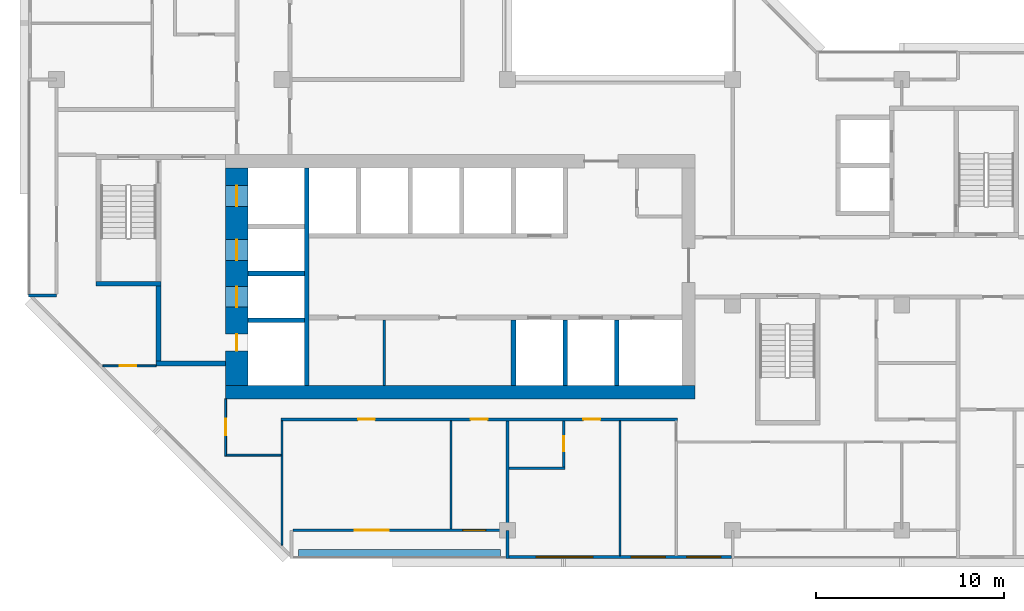
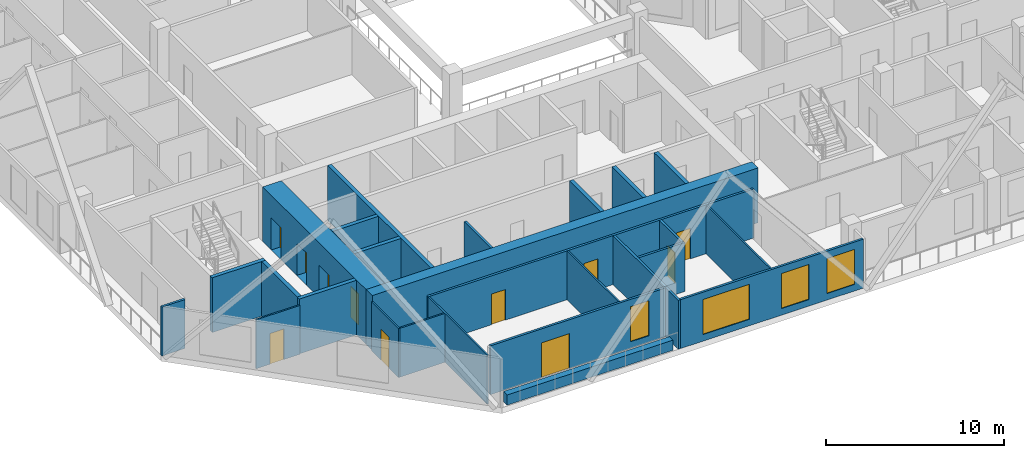
# One storey, part 4 of 15: 27 walls, 11 doors, 4 windows, 15 openings.
"""IFC4 building model written with IfcOpenShell, lengths in metres."""

import ifcopenshell
import ifcopenshell.guid

model = None  # the IFC model being written
_history = None  # IfcOwnerHistory: only IFC2X3 demands one
_inside = {}  # id of a spatial element -> (the spatial element, [elements in it])
_under = {}  # id of a project, library or spatial element -> (it, [spatial elements below it])
_declared = {}  # id of a project -> (the project, [libraries it declares])
_typed = {}  # id of a type object -> (the type object, [elements of that type])
_made_of = {}  # id of a material, layer set ... -> (it, [elements and type objects made of it])


def new_model(schema):
    """Start an empty IFC model of exactly this schema.

    Asked for "IFC4X3", IfcOpenShell would pick the latest addendum, in which some entities
    have other attributes; the version numbers below select the first issue.
    IFC2X3 requires an IfcOwnerHistory on every rooted entity: one is made here for all.
    """
    global model, _history
    if schema == "IFC4X3":
        model = ifcopenshell.file(schema_version=(4, 3, 0, 0))
    else:
        model = ifcopenshell.file(schema=schema)
    _inside.clear()
    _under.clear()
    _declared.clear()
    _typed.clear()
    _made_of.clear()
    _history = None
    if model.schema == "IFC2X3":
        org = make("IfcOrganization", Name="unknown")
        user = make(
            "IfcPersonAndOrganization",
            ThePerson=make("IfcPerson", FamilyName="unknown"),
            TheOrganization=org,
        )
        app = make(
            "IfcApplication",
            ApplicationDeveloper=org,
            Version="unknown",
            ApplicationFullName="unknown",
            ApplicationIdentifier="unknown",
        )
        _history = make(
            "IfcOwnerHistory",
            OwningUser=user,
            OwningApplication=app,
            ChangeAction="ADDED",
            CreationDate=0,
        )
    return model


def make(cls, **values):
    """One entity of the class cls with the attributes given. An attribute that is None is left unset."""
    return model.create_entity(
        cls, **{name: value for name, value in values.items() if value is not None}
    )


def rooted(cls, **values):
    """An entity with a GlobalId (a new one), such as an element, a storey or a relation."""
    return make(cls, GlobalId=ifcopenshell.guid.new(), OwnerHistory=_history, **values)


def si_unit(unit_type, name, prefix=None):
    """IfcSIUnit, for example si_unit("LENGTHUNIT", "METRE", prefix="MILLI")."""
    return make("IfcSIUnit", UnitType=unit_type, Prefix=prefix, Name=name)


def assignment(units):
    """IfcUnitAssignment: the units of a project."""
    return None if units is None else make("IfcUnitAssignment", Units=units)


def point(xyz):
    """IfcCartesianPoint."""
    return None if xyz is None else make("IfcCartesianPoint", Coordinates=xyz)


def direction(xyz):
    """IfcDirection."""
    return None if xyz is None else make("IfcDirection", DirectionRatios=xyz)


def frame(location, z_axis=None, x_axis=None):
    """IfcAxis2Placement3D, a coordinate frame: its origin and axes. An axis left out is left unset."""
    return make(
        "IfcAxis2Placement3D",
        Location=point(location),
        Axis=direction(z_axis),
        RefDirection=direction(x_axis),
    )


def frame_2d(location, x_axis=None):
    """IfcAxis2Placement2D, a coordinate frame in the plane: its origin and x axis."""
    return make(
        "IfcAxis2Placement2D", Location=point(location), RefDirection=direction(x_axis)
    )


def origin():
    """The frame at (0, 0, 0) with its axes left unset."""
    return frame((0.0, 0.0, 0.0))


def place(relative_to, where):
    """IfcLocalPlacement: puts the frame where relative to a parent placement (None: the world)."""
    return make(
        "IfcLocalPlacement", PlacementRelTo=relative_to, RelativePlacement=where
    )


def context(
    kind, dimensions, precision=None, world=None, true_north=None, identifier=None
):
    """IfcGeometricRepresentationContext, for example the 3D "Model" context."""
    return make(
        "IfcGeometricRepresentationContext",
        ContextIdentifier=identifier,
        ContextType=kind,
        CoordinateSpaceDimension=dimensions,
        Precision=precision,
        WorldCoordinateSystem=world,
        TrueNorth=true_north,
    )


def subcontext(parent, identifier, kind, view, scale=None):
    """IfcGeometricRepresentationSubContext, for example "Body" below "Model"."""
    return make(
        "IfcGeometricRepresentationSubContext",
        ContextIdentifier=identifier,
        ContextType=kind,
        ParentContext=parent,
        TargetScale=scale,
        TargetView=view,
    )


def project(units=None, contexts=None):
    """IfcProject with its units and contexts."""
    return rooted(
        "IfcProject",
        Name="project",
        RepresentationContexts=contexts,
        UnitsInContext=assignment(units),
    )


def spatial(cls, under=None, at=None, **own):
    """A site, building, storey or space (cls), placed at a placement, below another one or the project."""
    s = rooted(cls, ObjectPlacement=at, **own)
    if under is not None:
        _under.setdefault(under.id(), (under, []))[1].append(s)
    return s


def profile(cls, at=None, kind="AREA", **sizes):
    """A parametric profile (cls). Its sizes go by their IFC names, for example OverallWidth=200.0."""
    return make(cls, ProfileType=kind, Position=at, **sizes)


def rectangle(**sizes):
    """IfcRectangleProfileDef."""
    return profile("IfcRectangleProfileDef", **sizes)


def extrude(swept, where, along, depth):
    """IfcExtrudedAreaSolid: the profile swept, set in the frame where, extruded along a direction by depth."""
    return make(
        "IfcExtrudedAreaSolid",
        SweptArea=swept,
        Position=where,
        ExtrudedDirection=direction(along),
        Depth=depth,
    )


def shape(context_of_items, identifier, shape_type, items):
    """IfcShapeRepresentation: the items that make up one representation, for example the "Body"."""
    return make(
        "IfcShapeRepresentation",
        ContextOfItems=context_of_items,
        RepresentationIdentifier=identifier,
        RepresentationType=shape_type,
        Items=items,
    )


def material(Name=None, Category=None):
    """IfcMaterial."""
    return make("IfcMaterial", Name=Name, Category=Category)


def layer(
    of_material, thickness, ventilated=None, Name=None, Category=None, Priority=None
):
    """IfcMaterialLayer: one layer of a wall or slab, of a material (None: an air gap)."""
    return make(
        "IfcMaterialLayer",
        Material=of_material,
        LayerThickness=thickness,
        IsVentilated=ventilated,
        Name=Name,
        Category=Category,
        Priority=Priority,
    )


def layer_set(layers, Name=None):
    """IfcMaterialLayerSet."""
    return make("IfcMaterialLayerSet", MaterialLayers=layers, LayerSetName=Name)


def made_of(thing, what):
    """Note that an element or type object is made of a material, layer set ...; save() writes the relation."""
    if what is not None:
        _made_of.setdefault(what.id(), (what, []))[1].append(thing)
    return thing


def type_object(cls, material=None, **own):
    """A type object (cls), such as IfcWallType, which elements share."""
    return made_of(rooted(cls, **own), material)


def element(
    cls,
    number,
    at=None,
    inside=None,
    cuts=None,
    type_object=None,
    material=None,
    context=None,
    identifier="Body",
    shape_type=None,
    held_by="IfcProductDefinitionShape",
    body=None,
    shapes=None,
    **own,
):
    """One element of the class cls, such as IfcWall. Its Tag is "e" and its number.

    at: its placement. inside: the storey or other place that contains it. cuts: it is an
    opening in that element (IfcRelVoidsElement). A single representation is given by context,
    identifier, shape_type and body (its items); several are given by shapes. held_by: the class
    of the entity that holds the representations. save() writes the other relations.
    """
    e = rooted(cls, Tag="e%d" % number, ObjectPlacement=at, **own)
    if body is not None:
        shapes = [shape(context, identifier, shape_type, body)]
    if shapes is not None:
        e.Representation = make(held_by, Representations=shapes)
    if inside is not None:
        _inside.setdefault(inside.id(), (inside, []))[1].append(e)
    if cuts is not None:
        rooted(
            "IfcRelVoidsElement", RelatingBuildingElement=cuts, RelatedOpeningElement=e
        )
    if type_object is not None:
        _typed.setdefault(type_object.id(), (type_object, []))[1].append(e)
    return made_of(e, material)


def fill(opening, filler):
    """IfcRelFillsElement: the door or window that sits in an opening."""
    return rooted(
        "IfcRelFillsElement",
        RelatingOpeningElement=opening,
        RelatedBuildingElement=filler,
    )


def aggregate(whole, parts):
    """IfcRelAggregates: a whole, such as a stair, and the parts it consists of."""
    return rooted("IfcRelAggregates", RelatingObject=whole, RelatedObjects=parts)


def save(model, path):
    """Write the relations noted so far, then the file.

    IfcRelAggregates (storeys below a building ...), IfcRelContainedInSpatialStructure (elements
    in a storey), IfcRelDefinesByType, IfcRelAssociatesMaterial and IfcRelDeclares: one each for
    every whole, place, type object, material and project.
    """
    for whole, parts in _under.values():
        aggregate(whole, parts)
    for where, things in _inside.values():
        rooted(
            "IfcRelContainedInSpatialStructure",
            RelatedElements=things,
            RelatingStructure=where,
        )
    for kind, things in _typed.values():
        rooted("IfcRelDefinesByType", RelatedObjects=things, RelatingType=kind)
    for what, things in _made_of.values():
        rooted("IfcRelAssociatesMaterial", RelatedObjects=things, RelatingMaterial=what)
    for by, libraries in _declared.values():
        rooted("IfcRelDeclares", RelatingContext=by, RelatedDefinitions=libraries)
    model.write(path)


model = new_model("IFC4")

# Units and contexts
model_context = context("Model", 3, precision=1e-05, world=origin(), true_north=direction((0.0, 1.0)))
body_context = subcontext(model_context, "Body", "Model", "MODEL_VIEW")
ifc_project = project(units=[si_unit("LENGTHUNIT", "METRE"), si_unit("AREAUNIT", "SQUARE_METRE"), si_unit("VOLUMEUNIT", "CUBIC_METRE"), si_unit("PLANEANGLEUNIT", "RADIAN"), si_unit("MASSUNIT", "GRAM", prefix="KILO")], contexts=[model_context])

# Site, building, storey
site_placement = place(None, origin())
site = spatial("IfcSite", under=ifc_project, at=site_placement, CompositionType="ELEMENT")
building_placement = place(site_placement, origin())
building = spatial("IfcBuilding", under=site, at=building_placement, Name="Chenar Terraces", CompositionType="ELEMENT")
storey_placement = place(building_placement, frame((0.0, 0.0, 245.39990234375)))
storey = spatial("IfcBuildingStorey", under=building, at=storey_placement, Name="L58", CompositionType="ELEMENT", Elevation=245.39990234375)

# Wall
ifc_material_1 = material(Name="Gypsum board on steel studs", Category="steel")
ifc_layer_1 = layer(ifc_material_1, 0.14990234375)
ifc_layer_set_1 = layer_set([ifc_layer_1], Name="Gypsum board on steel studs")
wall_type_1 = type_object("IfcWallType", Name="Core partition 150 gypsum board", PredefinedType="PARTITIONING", material=ifc_layer_set_1)
wall_1_placement = place(storey_placement, frame((17.449951171875, 7.699951171875, 0.0), z_axis=(0.0, 0.0, 1.0), x_axis=(0.0, 1.0, 0.0)))
element("IfcWall", 1, at=wall_1_placement, inside=storey, type_object=wall_type_1, Name="Core partition CP1 freed bay wall", PredefinedType="PARTITIONING", context=body_context, shape_type="SweptSolid", body=[
    extrude(rectangle(XDim=3.5, YDim=0.14990234375, at=frame_2d((1.75, 0.0))), origin(), (0.0, 0.0, 1.0), 3.35009765625),
])

# Wall, openings, doors
ifc_material_2 = material(Name="Concrete C60/75", Category="concrete")
ifc_layer_2 = layer(ifc_material_2, 1.199951171875)
ifc_layer_set_2 = layer_set([ifc_layer_2], Name="Concrete C60/75")
wall_type_2 = type_object("IfcWallType", Name="Core wall 1200 Concrete C60/75", PredefinedType="SHEAR", material=ifc_layer_set_2)
wall_2_placement = place(storey_placement, frame((9.60009765625, 7.699951171875, 0.0), z_axis=(0.0, 0.0, 1.0), x_axis=(0.0, 1.0, 0.0)))
wall_2 = element("IfcWall", 2, at=wall_2_placement, inside=storey, type_object=wall_type_2, Name="Core wall W L58", PredefinedType="SHEAR", context=body_context, shape_type="SweptSolid", body=[
    extrude(rectangle(XDim=11.60009765625, YDim=1.199951171875, at=frame_2d((5.800048828125, 0.0))), origin(), (0.0, 0.0, 1.0), 3.75),
])
opening_1_placement = place(wall_2_placement, frame((4.175048828125, 0.0, 0.0)))
opening_1 = element("IfcOpeningElement", 3, at=opening_1_placement, cuts=wall_2, Name="Opening DL58-LD5", PredefinedType="OPENING", context=body_context, shape_type="SweptSolid", body=[
    extrude(rectangle(XDim=1.10009765625, YDim=2.199951171875, at=frame_2d((0.550048828125, 1.10009765625))), frame((0.0, 0.60986328125, 0.0), z_axis=(0.0, -1.0, 0.0), x_axis=(1.0, 0.0, 0.0)), (0.0, 0.0, 1.0), 1.219970703125),
])
opening_2_placement = place(wall_2_placement, frame((6.675048828125, 0.0, 0.0)))
opening_2 = element("IfcOpeningElement", 4, at=opening_2_placement, cuts=wall_2, Name="Opening DL58-LD6", PredefinedType="OPENING", context=body_context, shape_type="SweptSolid", body=[
    extrude(rectangle(XDim=1.10009765625, YDim=2.199951171875, at=frame_2d((0.550048828125, 1.10009765625))), frame((0.0, 0.60986328125, 0.0), z_axis=(0.0, -1.0, 0.0), x_axis=(1.0, 0.0, 0.0)), (0.0, 0.0, 1.0), 1.219970703125),
])
opening_3_placement = place(wall_2_placement, frame((9.550048828125, 0.0, 0.0)))
opening_3 = element("IfcOpeningElement", 5, at=opening_3_placement, cuts=wall_2, Name="Opening DL58-LD7", PredefinedType="OPENING", context=body_context, shape_type="SweptSolid", body=[
    extrude(rectangle(XDim=1.10009765625, YDim=2.199951171875, at=frame_2d((0.550048828125, 1.10009765625))), frame((0.0, 0.60986328125, 0.0), z_axis=(0.0, -1.0, 0.0), x_axis=(1.0, 0.0, 0.0)), (0.0, 0.0, 1.0), 1.219970703125),
])
opening_4_placement = place(wall_2_placement, frame((1.85009765625, 0.0, 0.0)))
opening_4 = element("IfcOpeningElement", 6, at=opening_4_placement, cuts=wall_2, Name="Opening DL58-C4", PredefinedType="OPENING", context=body_context, shape_type="SweptSolid", body=[
    extrude(rectangle(XDim=0.89990234375, YDim=2.10009765625, at=frame_2d((0.449951171875, 1.050048828125))), frame((0.0, 0.60986328125, 0.0), z_axis=(0.0, -1.0, 0.0), x_axis=(1.0, 0.0, 0.0)), (0.0, 0.0, 1.0), 1.219970703125),
])
ifc_material_3 = material(Name="Stainless steel", Category="steel")
door_type_1 = type_object("IfcDoorType", Name="Lift landing door 1100 x 2200 sliding", OperationType="DOUBLE_DOOR_SLIDING", PredefinedType="DOOR", material=ifc_material_3)
door_1_placement = place(opening_1_placement, origin())
door_1 = element("IfcDoor", 7, at=door_1_placement, inside=storey, type_object=door_type_1, Name="Landing door S1", OperationType="DOUBLE_DOOR_SLIDING", OverallHeight=2.199951171875, OverallWidth=1.10009765625, PredefinedType="DOOR", context=body_context, shape_type="SweptSolid", body=[
    extrude(rectangle(XDim=1.10009765625, YDim=2.199951171875, at=frame_2d((0.550048828125, 1.10009765625))), frame((0.0, 0.02490234375, 0.0), z_axis=(0.0, -1.0, 0.0), x_axis=(1.0, 0.0, 0.0)), (0.0, 0.0, 1.0), 0.050048828125),
])
fill(opening_1, door_1)
door_2_placement = place(opening_2_placement, origin())
door_2 = element("IfcDoor", 8, at=door_2_placement, inside=storey, type_object=door_type_1, Name="Landing door F1", OperationType="DOUBLE_DOOR_SLIDING", OverallHeight=2.199951171875, OverallWidth=1.10009765625, PredefinedType="DOOR", context=body_context, shape_type="SweptSolid", body=[
    extrude(rectangle(XDim=1.10009765625, YDim=2.199951171875, at=frame_2d((0.550048828125, 1.10009765625))), frame((0.0, 0.02490234375, 0.0), z_axis=(0.0, -1.0, 0.0), x_axis=(1.0, 0.0, 0.0)), (0.0, 0.0, 1.0), 0.050048828125),
])
fill(opening_2, door_2)
door_3_placement = place(opening_3_placement, origin())
door_3 = element("IfcDoor", 9, at=door_3_placement, inside=storey, type_object=door_type_1, Name="Landing door F2", OperationType="DOUBLE_DOOR_SLIDING", OverallHeight=2.199951171875, OverallWidth=1.10009765625, PredefinedType="DOOR", context=body_context, shape_type="SweptSolid", body=[
    extrude(rectangle(XDim=1.10009765625, YDim=2.199951171875, at=frame_2d((0.550048828125, 1.10009765625))), frame((0.0, 0.02490234375, 0.0), z_axis=(0.0, -1.0, 0.0), x_axis=(1.0, 0.0, 0.0)), (0.0, 0.0, 1.0), 0.050048828125),
])
fill(opening_3, door_3)
ifc_material_4 = material(Name="Steel-framed fire-resisting door leaf", Category="steel")
door_type_2 = type_object("IfcDoorType", Name="Riser fire door FD60 900 x 2100", OperationType="SINGLE_SWING_LEFT", PredefinedType="DOOR", material=ifc_material_4)
door_4_placement = place(opening_4_placement, frame((0.89990234375, 0.0, 0.0), z_axis=(0.0, 0.0, 1.0), x_axis=(-1.0, 0.0, 0.0)))
door_4 = element("IfcDoor", 10, at=door_4_placement, inside=storey, type_object=door_type_2, Name="Riser door DL58-C4", OperationType="SINGLE_SWING_LEFT", OverallHeight=2.10009765625, OverallWidth=0.89990234375, PredefinedType="DOOR", context=body_context, shape_type="SweptSolid", body=[
    extrude(rectangle(XDim=0.89990234375, YDim=2.10009765625, at=frame_2d((0.449951171875, 1.050048828125))), frame((0.0, 0.02490234375, 0.0), z_axis=(0.0, -1.0, 0.0), x_axis=(1.0, 0.0, 0.0)), (0.0, 0.0, 1.0), 0.050048828125),
])
fill(opening_4, door_4)

# Walls
ifc_material_5 = material(Name="Concrete C60/75", Category="concrete")
ifc_layer_3 = layer(ifc_material_5, 0.25)
ifc_layer_set_3 = layer_set([ifc_layer_3], Name="Concrete C60/75")
wall_type_3 = type_object("IfcWallType", Name="Core wall 250 Concrete C60/75", PredefinedType="SHEAR", material=ifc_layer_set_3)
wall_3_placement = place(storey_placement, frame((13.324951171875, 7.699951171875, 0.0), z_axis=(0.0, 0.0, 1.0), x_axis=(0.0, 1.0, 0.0)))
element("IfcWall", 11, at=wall_3_placement, inside=storey, type_object=wall_type_3, Name="Core wall WI L58", PredefinedType="SHEAR", context=body_context, shape_type="SweptSolid", body=[
    extrude(rectangle(XDim=11.60009765625, YDim=0.25, at=frame_2d((5.800048828125, 0.0))), origin(), (0.0, 0.0, 1.0), 3.75),
])
for number, where, z_axis, x_axis, name in (
    (12, (10.199951171875, 11.175048828125, 0.0), (0.0, 0.0, 1.0), (1.0, 0.0, 0.0), "Core wall HW0 L58"),
    (13, (10.199951171875, 13.675048828125, 0.0), (0.0, 0.0, 1.0), (1.0, 0.0, 0.0), "Core wall HW1 L58"),
):
    element("IfcWall", number, at=place(storey_placement, frame(where, z_axis=z_axis, x_axis=x_axis)), inside=storey, type_object=wall_type_3, Name=name, PredefinedType="SHEAR", context=body_context, shape_type="SweptSolid", body=[
        extrude(rectangle(XDim=3.0, YDim=0.25, at=frame_2d((1.5, 0.0))), origin(), (0.0, 0.0, 1.0), 3.75),
    ])
for number, where, z_axis, x_axis, name in (
    (14, (24.324951171875, 7.699951171875, 0.0), (0.0, 0.0, 1.0), (0.0, 1.0, 0.0), "Core wall SS3 L58"),
    (15, (27.074951171875, 7.699951171875, 0.0), (0.0, 0.0, 1.0), (0.0, 1.0, 0.0), "Core wall SS4 L58"),
    (16, (29.824951171875, 7.699951171875, 0.0), (0.0, 0.0, 1.0), (0.0, 1.0, 0.0), "Core wall SS5 L58"),
):
    element("IfcWall", number, at=place(storey_placement, frame(where, z_axis=z_axis, x_axis=x_axis)), inside=storey, type_object=wall_type_3, Name=name, PredefinedType="SHEAR", context=body_context, shape_type="SweptSolid", body=[
        extrude(rectangle(XDim=3.5, YDim=0.25, at=frame_2d((1.75, 0.0))), origin(), (0.0, 0.0, 1.0), 3.75),
    ])
wall_4_placement = place(storey_placement, frame((2.10009765625, 13.125, 0.0), z_axis=(0.0, 0.0, 1.0), x_axis=(1.0, 0.0, 0.0)))
element("IfcWall", 17, at=wall_4_placement, inside=storey, type_object=wall_type_3, Name="Core wall ST1_S L58", PredefinedType="SHEAR", context=body_context, shape_type="SweptSolid", body=[
    extrude(rectangle(XDim=3.449951171875, YDim=0.25, at=frame_2d((1.72509765625, 0.0))), origin(), (0.0, 0.0, 1.0), 3.75),
])
wall_5_placement = place(storey_placement, frame((5.300048828125, 8.875, 0.0), z_axis=(0.0, 0.0, 1.0), x_axis=(1.0, 0.0, 0.0)))
element("IfcWall", 18, at=wall_5_placement, inside=storey, type_object=wall_type_3, Name="Core wall FFL_S L58", PredefinedType="SHEAR", context=body_context, shape_type="SweptSolid", body=[
    extrude(rectangle(XDim=3.699951171875, YDim=0.25, at=frame_2d((1.85009765625, 0.0))), origin(), (0.0, 0.0, 1.0), 3.75),
])
wall_6_placement = place(storey_placement, frame((5.425048828125, 9.0, 0.0), z_axis=(0.0, 0.0, 1.0), x_axis=(0.0, 1.0, 0.0)))
element("IfcWall", 19, at=wall_6_placement, inside=storey, type_object=wall_type_3, Name="Core wall FFL_W L58", PredefinedType="SHEAR", context=body_context, shape_type="SweptSolid", body=[
    extrude(rectangle(XDim=4.0, YDim=0.25, at=frame_2d((2.0, 0.0))), origin(), (0.0, 0.0, 1.0), 3.75),
])
ifc_material_6 = material(Name="Concrete C60/75", Category="concrete")
ifc_layer_4 = layer(ifc_material_6, 0.699951171875)
ifc_layer_set_4 = layer_set([ifc_layer_4], Name="Concrete C60/75")
wall_type_4 = type_object("IfcWallType", Name="Core wall 700 Concrete C60/75", PredefinedType="SHEAR", material=ifc_layer_set_4)
wall_7_placement = place(storey_placement, frame((9.0, 7.35009765625, 0.0), z_axis=(0.0, 0.0, 1.0), x_axis=(1.0, 0.0, 0.0)))
element("IfcWall", 20, at=wall_7_placement, inside=storey, type_object=wall_type_4, Name="Core wall S L58", PredefinedType="SHEAR", context=body_context, shape_type="SweptSolid", body=[
    extrude(rectangle(XDim=25.0, YDim=0.699951171875, at=frame_2d((12.5, 0.0))), origin(), (0.0, 0.0, 1.0), 3.75),
])

# Wall, openings, windows
ifc_material_7 = material(Name="Aluminium framed glazing", Category="aluminium")
ifc_layer_5 = layer(ifc_material_7, 0.14990234375)
ifc_layer_set_5 = layer_set([ifc_layer_5], Name="Aluminium framed glazing")
wall_type_5 = type_object("IfcWallType", Name="Glazed flush facade wall 150", PredefinedType="SOLIDWALL", material=ifc_layer_set_5)
wall_8_placement = place(storey_placement, frame((24.074951171875, -1.425048828125, 0.0), z_axis=(0.0, 0.0, 1.0), x_axis=(1.0, 0.0, 0.0)))
wall_8 = element("IfcWall", 21, at=wall_8_placement, inside=storey, type_object=wall_type_5, Name="Glazed flush facade wall", PredefinedType="SOLIDWALL", context=body_context, shape_type="SweptSolid", body=[
    extrude(rectangle(XDim=11.85009765625, YDim=0.14990234375, at=frame_2d((5.925048828125, 0.0))), origin(), (0.0, 0.0, 1.0), 3.35009765625),
])
opening_5_placement = place(wall_8_placement, frame((1.46240234375, 0.0, 0.449951171875)))
opening_5 = element("IfcOpeningElement", 22, at=opening_5_placement, cuts=wall_8, Name="Opening W300x240", PredefinedType="OPENING", context=body_context, shape_type="SweptSolid", body=[
    extrude(rectangle(XDim=3.0, YDim=2.39990234375, at=frame_2d((1.5, 1.199951171875))), frame((0.0, 0.0849609375, 0.0), z_axis=(0.0, -1.0, 0.0), x_axis=(1.0, 0.0, 0.0)), (0.0, 0.0, 1.0), 0.169921875),
])
opening_6_placement = place(wall_8_placement, frame((6.52490234375, 0.0, 0.449951171875)))
opening_6 = element("IfcOpeningElement", 23, at=opening_6_placement, cuts=wall_8, Name="Opening W180x240", PredefinedType="OPENING", context=body_context, shape_type="SweptSolid", body=[
    extrude(rectangle(XDim=1.800048828125, YDim=2.39990234375, at=frame_2d((0.89990234375, 1.199951171875))), frame((0.0, 0.0849609375, 0.0), z_axis=(0.0, -1.0, 0.0), x_axis=(1.0, 0.0, 0.0)), (0.0, 0.0, 1.0), 0.169921875),
])
opening_7_placement = place(wall_8_placement, frame((9.487548828125, 0.0, 0.449951171875)))
opening_7 = element("IfcOpeningElement", 24, at=opening_7_placement, cuts=wall_8, Name="Opening W180x240", PredefinedType="OPENING", context=body_context, shape_type="SweptSolid", body=[
    extrude(rectangle(XDim=1.800048828125, YDim=2.39990234375, at=frame_2d((0.89990234375, 1.199951171875))), frame((0.0, 0.0849609375, 0.0), z_axis=(0.0, -1.0, 0.0), x_axis=(1.0, 0.0, 0.0)), (0.0, 0.0, 1.0), 0.169921875),
])
ifc_material_8 = material(Name="Low emissivity double glazing, aluminium frame", Category="aluminium")
window_type_1 = type_object("IfcWindowType", Name="Fixed light 1800 x 2400", PartitioningType="SINGLE_PANEL", PredefinedType="WINDOW", material=ifc_material_8)
window_1_placement = place(opening_6_placement, origin())
window_1 = element("IfcWindow", 25, at=window_1_placement, inside=storey, type_object=window_type_1, Name="Window", OverallHeight=2.39990234375, OverallWidth=1.800048828125, PartitioningType="SINGLE_PANEL", PredefinedType="WINDOW", context=body_context, shape_type="SweptSolid", body=[
    extrude(rectangle(XDim=1.800048828125, YDim=2.39990234375, at=frame_2d((0.89990234375, 1.199951171875))), frame((0.0, 0.030029296875, 0.0), z_axis=(0.0, -1.0, 0.0), x_axis=(1.0, 0.0, 0.0)), (0.0, 0.0, 1.0), 0.06005859375),
])
fill(opening_6, window_1)
window_2_placement = place(opening_7_placement, origin())
window_2 = element("IfcWindow", 26, at=window_2_placement, inside=storey, type_object=window_type_1, Name="Window", OverallHeight=2.39990234375, OverallWidth=1.800048828125, PartitioningType="SINGLE_PANEL", PredefinedType="WINDOW", context=body_context, shape_type="SweptSolid", body=[
    extrude(rectangle(XDim=1.800048828125, YDim=2.39990234375, at=frame_2d((0.89990234375, 1.199951171875))), frame((0.0, 0.030029296875, 0.0), z_axis=(0.0, -1.0, 0.0), x_axis=(1.0, 0.0, 0.0)), (0.0, 0.0, 1.0), 0.06005859375),
])
fill(opening_7, window_2)
ifc_material_9 = material(Name="Low emissivity double glazing, aluminium frame", Category="aluminium")
window_type_2 = type_object("IfcWindowType", Name="Fixed light 3000 x 2400", PartitioningType="SINGLE_PANEL", PredefinedType="WINDOW", material=ifc_material_9)
window_3_placement = place(opening_5_placement, origin())
window_3 = element("IfcWindow", 27, at=window_3_placement, inside=storey, type_object=window_type_2, Name="Window", OverallHeight=2.39990234375, OverallWidth=3.0, PartitioningType="SINGLE_PANEL", PredefinedType="WINDOW", context=body_context, shape_type="SweptSolid", body=[
    extrude(rectangle(XDim=3.0, YDim=2.39990234375, at=frame_2d((1.5, 1.199951171875))), frame((0.0, 0.030029296875, 0.0), z_axis=(0.0, -1.0, 0.0), x_axis=(1.0, 0.0, 0.0)), (0.0, 0.0, 1.0), 0.06005859375),
])
fill(opening_5, window_3)

# Wall, openings, window, door
ifc_material_10 = material(Name="Aluminium framed glazing", Category="aluminium")
ifc_layer_6 = layer(ifc_material_10, 0.14990234375)
ifc_layer_set_6 = layer_set([ifc_layer_6], Name="Aluminium framed glazing")
wall_type_6 = type_object("IfcWallType", Name="Glazed loggia back wall 150", PredefinedType="SOLIDWALL", material=ifc_layer_set_6)
wall_9_placement = place(storey_placement, frame((12.574951171875, 0.0, 0.0), z_axis=(0.0, 0.0, 1.0), x_axis=(1.0, 0.0, 0.0)))
wall_9 = element("IfcWall", 28, at=wall_9_placement, inside=storey, type_object=wall_type_6, Name="Glazed loggia back wall", PredefinedType="SOLIDWALL", context=body_context, shape_type="SweptSolid", body=[
    extrude(rectangle(XDim=11.35009765625, YDim=0.14990234375, at=frame_2d((5.675048828125, 0.0))), origin(), (0.0, 0.0, 1.0), 3.35009765625),
])
opening_8_placement = place(wall_9_placement, frame((3.3125, 0.0, 0.0)))
opening_8 = element("IfcOpeningElement", 29, at=opening_8_placement, cuts=wall_9, Name="Opening DL58-G5", PredefinedType="OPENING", context=body_context, shape_type="SweptSolid", body=[
    extrude(rectangle(XDim=1.800048828125, YDim=2.39990234375, at=frame_2d((0.89990234375, 1.199951171875))), frame((0.0, 0.0849609375, 0.0), z_axis=(0.0, -1.0, 0.0), x_axis=(1.0, 0.0, 0.0)), (0.0, 0.0, 1.0), 0.169921875),
])
opening_9_placement = place(wall_9_placement, frame((9.0625, 0.0, 0.449951171875)))
opening_9 = element("IfcOpeningElement", 30, at=opening_9_placement, cuts=wall_9, Name="Opening W120x240", PredefinedType="OPENING", context=body_context, shape_type="SweptSolid", body=[
    extrude(rectangle(XDim=1.199951171875, YDim=2.39990234375, at=frame_2d((0.60009765625, 1.199951171875))), frame((0.0, 0.0849609375, 0.0), z_axis=(0.0, -1.0, 0.0), x_axis=(1.0, 0.0, 0.0)), (0.0, 0.0, 1.0), 0.169921875),
])
ifc_material_11 = material(Name="Low emissivity double glazing, aluminium frame", Category="aluminium")
window_type_3 = type_object("IfcWindowType", Name="Fixed light 1200 x 2400", PartitioningType="SINGLE_PANEL", PredefinedType="WINDOW", material=ifc_material_11)
window_4_placement = place(opening_9_placement, origin())
window_4 = element("IfcWindow", 31, at=window_4_placement, inside=storey, type_object=window_type_3, Name="Window", OverallHeight=2.39990234375, OverallWidth=1.199951171875, PartitioningType="SINGLE_PANEL", PredefinedType="WINDOW", context=body_context, shape_type="SweptSolid", body=[
    extrude(rectangle(XDim=1.199951171875, YDim=2.39990234375, at=frame_2d((0.60009765625, 1.199951171875))), frame((0.0, 0.030029296875, 0.0), z_axis=(0.0, -1.0, 0.0), x_axis=(1.0, 0.0, 0.0)), (0.0, 0.0, 1.0), 0.06005859375),
])
fill(opening_9, window_4)
ifc_material_12 = material(Name="Low emissivity double glazing, aluminium frame", Category="aluminium")
door_type_3 = type_object("IfcDoorType", Name="Loggia glazed double door 1800 x 2400", OperationType="DOUBLE_DOOR_SINGLE_SWING", PredefinedType="DOOR", material=ifc_material_12)
door_5_placement = place(opening_8_placement, frame((1.800048828125, 0.0, 0.0), z_axis=(0.0, 0.0, 1.0), x_axis=(-1.0, 0.0, 0.0)))
door_5 = element("IfcDoor", 32, at=door_5_placement, inside=storey, type_object=door_type_3, Name="Loggia glazed door", OperationType="DOUBLE_DOOR_SINGLE_SWING", OverallHeight=2.39990234375, OverallWidth=1.800048828125, PredefinedType="DOOR", context=body_context, shape_type="SweptSolid", body=[
    extrude(rectangle(XDim=1.800048828125, YDim=2.39990234375, at=frame_2d((0.89990234375, 1.199951171875))), frame((0.0, 0.02490234375, 0.0), z_axis=(0.0, -1.0, 0.0), x_axis=(1.0, 0.0, 0.0)), (0.0, 0.0, 1.0), 0.050048828125),
])
fill(opening_8, door_5)

# Wall, opening, door
ifc_material_13 = material(Name="Gypsum board on steel studs", Category="steel")
ifc_layer_7 = layer(ifc_material_13, 0.10009765625)
ifc_layer_set_7 = layer_set([ifc_layer_7], Name="Gypsum board on steel studs")
wall_type_7 = type_object("IfcWallType", Name="Gypsum partition 100", PredefinedType="PARTITIONING", material=ifc_layer_set_7)
wall_10_placement = place(storey_placement, frame((2.4609375, 8.75, 0.0), z_axis=(0.0, 0.0, 1.0), x_axis=(1.0, 0.0, 0.0)))
wall_10 = element("IfcWall", 33, at=wall_10_placement, inside=storey, type_object=wall_type_7, Name="Partition L58-013", PredefinedType="PARTITIONING", context=body_context, shape_type="SweptSolid", body=[
    extrude(rectangle(XDim=2.839111328125, YDim=0.10009765625, at=frame_2d((1.41943359375, 0.0))), origin(), (0.0, 0.0, 1.0), 3.35009765625),
])
opening_10_placement = place(wall_10_placement, frame((0.888916015625, 0.0, 0.0)))
opening_10 = element("IfcOpeningElement", 34, at=opening_10_placement, cuts=wall_10, Name="Opening DL58-53", PredefinedType="OPENING", context=body_context, shape_type="SweptSolid", body=[
    extrude(rectangle(XDim=0.89990234375, YDim=2.10009765625, at=frame_2d((0.449951171875, 1.050048828125))), frame((0.0, 0.06005859375, 0.0), z_axis=(0.0, -1.0, 0.0), x_axis=(1.0, 0.0, 0.0)), (0.0, 0.0, 1.0), 0.1201171875),
])
ifc_material_14 = material(Name="Veneered timber door leaf", Category="wood")
door_type_4 = type_object("IfcDoorType", Name="Door 900 x 2100", OperationType="SINGLE_SWING_LEFT", PredefinedType="DOOR", material=ifc_material_14)
door_6_placement = place(opening_10_placement, frame((0.89990234375, 0.0, 0.0), z_axis=(0.0, 0.0, 1.0), x_axis=(-1.0, 0.0, 0.0)))
door_6 = element("IfcDoor", 35, at=door_6_placement, inside=storey, type_object=door_type_4, Name="Door DL58-53", OperationType="SINGLE_SWING_RIGHT", OverallHeight=2.10009765625, OverallWidth=0.89990234375, PredefinedType="DOOR", context=body_context, shape_type="SweptSolid", body=[
    extrude(rectangle(XDim=0.89990234375, YDim=2.10009765625, at=frame_2d((0.449951171875, 1.050048828125))), frame((0.0, 0.02490234375, 0.0), z_axis=(0.0, -1.0, 0.0), x_axis=(1.0, 0.0, 0.0)), (0.0, 0.0, 1.0), 0.050048828125),
])
fill(opening_10, door_6)

wall_11_placement = place(storey_placement, frame((9.0, 3.949951171875, 0.0), z_axis=(0.0, 0.0, 1.0), x_axis=(0.0, 1.0, 0.0)))
wall_11 = element("IfcWall", 36, at=wall_11_placement, inside=storey, type_object=wall_type_7, Name="Partition L58-031", PredefinedType="PARTITIONING", context=body_context, shape_type="SweptSolid", body=[
    extrude(rectangle(XDim=3.050048828125, YDim=0.10009765625, at=frame_2d((1.52490234375, 0.0))), origin(), (0.0, 0.0, 1.0), 3.35009765625),
])
opening_11_placement = place(wall_11_placement, frame((1.10009765625, 0.0, 0.0)))
opening_11 = element("IfcOpeningElement", 37, at=opening_11_placement, cuts=wall_11, Name="Opening DL58-52", PredefinedType="OPENING", context=body_context, shape_type="SweptSolid", body=[
    extrude(rectangle(XDim=0.89990234375, YDim=2.10009765625, at=frame_2d((0.449951171875, 1.050048828125))), frame((0.0, 0.06005859375, 0.0), z_axis=(0.0, -1.0, 0.0), x_axis=(1.0, 0.0, 0.0)), (0.0, 0.0, 1.0), 0.1201171875),
])
door_7_placement = place(opening_11_placement, origin())
door_7 = element("IfcDoor", 38, at=door_7_placement, inside=storey, type_object=door_type_4, Name="Door DL58-52", OperationType="SINGLE_SWING_LEFT", OverallHeight=2.10009765625, OverallWidth=0.89990234375, PredefinedType="DOOR", context=body_context, shape_type="SweptSolid", body=[
    extrude(rectangle(XDim=0.89990234375, YDim=2.10009765625, at=frame_2d((0.449951171875, 1.050048828125))), frame((0.0, 0.02490234375, 0.0), z_axis=(0.0, -1.0, 0.0), x_axis=(1.0, 0.0, 0.0)), (0.0, 0.0, 1.0), 0.050048828125),
])
fill(opening_11, door_7)

# Walls
wall_12_placement = place(storey_placement, frame((9.050048828125, 4.0, 0.0), z_axis=(0.0, 0.0, 1.0), x_axis=(1.0, 0.0, 0.0)))
element("IfcWall", 39, at=wall_12_placement, inside=storey, type_object=wall_type_7, Name="Partition L58-032", PredefinedType="PARTITIONING", context=body_context, shape_type="SweptSolid", body=[
    extrude(rectangle(XDim=2.89990234375, YDim=0.10009765625, at=frame_2d((1.449951171875, 0.0))), origin(), (0.0, 0.0, 1.0), 3.35009765625),
])
wall_13_placement = place(storey_placement, frame((12.0, -0.787841796875, 0.0), z_axis=(0.0, 0.0, 1.0), x_axis=(0.0, 1.0, 0.0)))
element("IfcWall", 40, at=wall_13_placement, inside=storey, type_object=wall_type_7, Name="Partition L58-035", PredefinedType="PARTITIONING", context=body_context, shape_type="SweptSolid", body=[
    extrude(rectangle(XDim=6.61279296875, YDim=0.10009765625, at=frame_2d((3.306396484375, 0.0))), origin(), (0.0, 0.0, 1.0), 3.35009765625),
])
wall_14_placement = place(storey_placement, frame((21.0, 0.073974609375, 0.0), z_axis=(0.0, 0.0, 1.0), x_axis=(0.0, 1.0, 0.0)))
element("IfcWall", 41, at=wall_14_placement, inside=storey, type_object=wall_type_7, Name="Partition L58-056", PredefinedType="PARTITIONING", context=body_context, shape_type="SweptSolid", body=[
    extrude(rectangle(XDim=5.7509765625, YDim=0.10009765625, at=frame_2d((2.87548828125, 0.0))), origin(), (0.0, 0.0, 1.0), 3.35009765625),
])
wall_15_placement = place(storey_placement, frame((30.0, -1.35107421875, 0.0), z_axis=(0.0, 0.0, 1.0), x_axis=(0.0, 1.0, 0.0)))
element("IfcWall", 42, at=wall_15_placement, inside=storey, type_object=wall_type_7, Name="Partition L58-061", PredefinedType="PARTITIONING", context=body_context, shape_type="SweptSolid", body=[
    extrude(rectangle(XDim=7.176025390625, YDim=0.10009765625, at=frame_2d((3.587890625, 0.0))), origin(), (0.0, 0.0, 1.0), 3.35009765625),
])
ifc_material_15 = material(Name="Terracotta cladding on insulated backing", Category="masonry")
ifc_layer_8 = layer(ifc_material_15, 0.14990234375)
ifc_layer_set_8 = layer_set([ifc_layer_8], Name="Terracotta cladding on insulated backing")
wall_type_8 = type_object("IfcWallType", Name="Loggia return wall 150", PredefinedType="SOLIDWALL", material=ifc_layer_set_8)
for number, where, z_axis, x_axis, name in (
    (43, (-1.5, 12.5, 0.0), (0.0, 0.0, 1.0), (1.0, 0.0, 0.0), "Loggia return wall"),
    (44, (24.0, -1.5, 0.0), (0.0, 0.0, 1.0), (0.0, 1.0, 0.0), "Loggia return wall"),
):
    element("IfcWall", number, at=place(storey_placement, frame(where, z_axis=z_axis, x_axis=x_axis)), inside=storey, type_object=wall_type_8, Name=name, PredefinedType="SOLIDWALL", context=body_context, shape_type="SweptSolid", body=[
        extrude(rectangle(XDim=1.5, YDim=0.14990234375, at=frame_2d((0.75, 0.0))), origin(), (0.0, 0.0, 1.0), 3.35009765625),
    ])
ifc_material_16 = material(Name="GRP planter trough")
ifc_layer_9 = layer(ifc_material_16, 0.39990234375)
ifc_layer_set_9 = layer_set([ifc_layer_9], Name="GRP planter trough")
wall_type_9 = type_object("IfcWallType", Name="Vertical greenery planter 400", PredefinedType="SOLIDWALL", material=ifc_layer_set_9)
wall_16_placement = place(storey_placement, frame((12.875, -1.22900390625, 0.0), z_axis=(0.0, 0.0, 1.0), x_axis=(1.0, 0.0, 0.0)))
element("IfcWall", 45, at=wall_16_placement, inside=storey, type_object=wall_type_9, Name="Vertical greenery planter", PredefinedType="SOLIDWALL", context=body_context, shape_type="SweptSolid", body=[
    extrude(rectangle(XDim=10.75, YDim=0.39990234375, at=frame_2d((5.375, 0.0))), origin(), (0.0, 0.0, 1.0), 0.7001953125),
])

# Wall, openings, doors
ifc_material_17 = material(Name="Moisture-resistant gypsum board on steel studs", Category="steel")
ifc_layer_10 = layer(ifc_material_17, 0.14990234375)
ifc_layer_set_10 = layer_set([ifc_layer_10], Name="Moisture-resistant gypsum board on steel studs")
wall_type_10 = type_object("IfcWallType", Name="Wet-room partition 150", PredefinedType="PARTITIONING", material=ifc_layer_set_10)
wall_17_placement = place(storey_placement, frame((11.949951171875, 5.89990234375, 0.0), z_axis=(0.0, 0.0, 1.0), x_axis=(1.0, 0.0, 0.0)))
wall_17 = element("IfcWall", 46, at=wall_17_placement, inside=storey, type_object=wall_type_10, Name="Partition L58-034", PredefinedType="PARTITIONING", context=body_context, shape_type="SweptSolid", body=[
    extrude(rectangle(XDim=21.10009765625, YDim=0.14990234375, at=frame_2d((10.550048828125, 0.0))), origin(), (0.0, 0.0, 1.0), 3.35009765625),
])
opening_12_placement = place(wall_17_placement, frame((10.10009765625, 0.0, 0.0)))
opening_12 = element("IfcOpeningElement", 47, at=opening_12_placement, cuts=wall_17, Name="Opening DL58-48", PredefinedType="OPENING", context=body_context, shape_type="SweptSolid", body=[
    extrude(rectangle(XDim=0.89990234375, YDim=2.10009765625, at=frame_2d((0.449951171875, 1.050048828125))), frame((0.0, 0.0849609375, 0.0), z_axis=(0.0, -1.0, 0.0), x_axis=(1.0, 0.0, 0.0)), (0.0, 0.0, 1.0), 0.169921875),
])
opening_13_placement = place(wall_17_placement, frame((16.10009765625, 0.0, 0.0)))
opening_13 = element("IfcOpeningElement", 48, at=opening_13_placement, cuts=wall_17, Name="Opening DL58-54", PredefinedType="OPENING", context=body_context, shape_type="SweptSolid", body=[
    extrude(rectangle(XDim=0.89990234375, YDim=2.10009765625, at=frame_2d((0.449951171875, 1.050048828125))), frame((0.0, 0.0849609375, 0.0), z_axis=(0.0, -1.0, 0.0), x_axis=(1.0, 0.0, 0.0)), (0.0, 0.0, 1.0), 0.169921875),
])
opening_14_placement = place(wall_17_placement, frame((4.10009765625, 0.0, 0.0)))
opening_14 = element("IfcOpeningElement", 49, at=opening_14_placement, cuts=wall_17, Name="Opening DL58-58", PredefinedType="OPENING", context=body_context, shape_type="SweptSolid", body=[
    extrude(rectangle(XDim=0.89990234375, YDim=2.10009765625, at=frame_2d((0.449951171875, 1.050048828125))), frame((0.0, 0.0849609375, 0.0), z_axis=(0.0, -1.0, 0.0), x_axis=(1.0, 0.0, 0.0)), (0.0, 0.0, 1.0), 0.169921875),
])
door_8_placement = place(opening_12_placement, frame((0.89990234375, 0.0, 0.0), z_axis=(0.0, 0.0, 1.0), x_axis=(-1.0, 0.0, 0.0)))
door_8 = element("IfcDoor", 50, at=door_8_placement, inside=storey, type_object=door_type_4, Name="Door DL58-48", OperationType="SINGLE_SWING_RIGHT", OverallHeight=2.10009765625, OverallWidth=0.89990234375, PredefinedType="DOOR", context=body_context, shape_type="SweptSolid", body=[
    extrude(rectangle(XDim=0.89990234375, YDim=2.10009765625, at=frame_2d((0.449951171875, 1.050048828125))), frame((0.0, 0.02490234375, 0.0), z_axis=(0.0, -1.0, 0.0), x_axis=(1.0, 0.0, 0.0)), (0.0, 0.0, 1.0), 0.050048828125),
])
fill(opening_12, door_8)
door_9_placement = place(opening_13_placement, frame((0.89990234375, 0.0, 0.0), z_axis=(0.0, 0.0, 1.0), x_axis=(-1.0, 0.0, 0.0)))
door_9 = element("IfcDoor", 51, at=door_9_placement, inside=storey, type_object=door_type_4, Name="Door DL58-54", OperationType="SINGLE_SWING_RIGHT", OverallHeight=2.10009765625, OverallWidth=0.89990234375, PredefinedType="DOOR", context=body_context, shape_type="SweptSolid", body=[
    extrude(rectangle(XDim=0.89990234375, YDim=2.10009765625, at=frame_2d((0.449951171875, 1.050048828125))), frame((0.0, 0.02490234375, 0.0), z_axis=(0.0, -1.0, 0.0), x_axis=(1.0, 0.0, 0.0)), (0.0, 0.0, 1.0), 0.050048828125),
])
fill(opening_13, door_9)
door_10_placement = place(opening_14_placement, frame((0.89990234375, 0.0, 0.0), z_axis=(0.0, 0.0, 1.0), x_axis=(-1.0, 0.0, 0.0)))
door_10 = element("IfcDoor", 52, at=door_10_placement, inside=storey, type_object=door_type_4, Name="Door DL58-58", OperationType="SINGLE_SWING_RIGHT", OverallHeight=2.10009765625, OverallWidth=0.89990234375, PredefinedType="DOOR", context=body_context, shape_type="SweptSolid", body=[
    extrude(rectangle(XDim=0.89990234375, YDim=2.10009765625, at=frame_2d((0.449951171875, 1.050048828125))), frame((0.0, 0.02490234375, 0.0), z_axis=(0.0, -1.0, 0.0), x_axis=(1.0, 0.0, 0.0)), (0.0, 0.0, 1.0), 0.050048828125),
])
fill(opening_14, door_10)

# Walls
wall_18_placement = place(storey_placement, frame((24.0, 0.0, 0.0), z_axis=(0.0, 0.0, 1.0), x_axis=(0.0, 1.0, 0.0)))
element("IfcWall", 53, at=wall_18_placement, inside=storey, type_object=wall_type_10, Name="Partition L58-058", PredefinedType="PARTITIONING", context=body_context, shape_type="SweptSolid", body=[
    extrude(rectangle(XDim=5.824951171875, YDim=0.14990234375, at=frame_2d((2.91259765625, 0.0))), origin(), (0.0, 0.0, 1.0), 3.35009765625),
])
wall_19_placement = place(storey_placement, frame((24.074951171875, 3.300048828125, 0.0), z_axis=(0.0, 0.0, 1.0), x_axis=(1.0, 0.0, 0.0)))
element("IfcWall", 54, at=wall_19_placement, inside=storey, type_object=wall_type_10, Name="Partition L58-059", PredefinedType="PARTITIONING", context=body_context, shape_type="SweptSolid", body=[
    extrude(rectangle(XDim=3.0, YDim=0.14990234375, at=frame_2d((1.5, 0.0))), origin(), (0.0, 0.0, 1.0), 3.35009765625),
])

# Wall, opening, door
wall_20_placement = place(storey_placement, frame((27.0, 3.375, 0.0), z_axis=(0.0, 0.0, 1.0), x_axis=(0.0, 1.0, 0.0)))
wall_20 = element("IfcWall", 55, at=wall_20_placement, inside=storey, type_object=wall_type_10, Name="Partition L58-060", PredefinedType="PARTITIONING", context=body_context, shape_type="SweptSolid", body=[
    extrude(rectangle(XDim=2.449951171875, YDim=0.14990234375, at=frame_2d((1.22509765625, 0.0))), origin(), (0.0, 0.0, 1.0), 3.35009765625),
])
opening_15_placement = place(wall_20_placement, frame((0.824951171875, 0.0, 0.0)))
opening_15 = element("IfcOpeningElement", 56, at=opening_15_placement, cuts=wall_20, Name="Opening DL58-55", PredefinedType="OPENING", context=body_context, shape_type="SweptSolid", body=[
    extrude(rectangle(XDim=0.800048828125, YDim=2.10009765625, at=frame_2d((0.39990234375, 1.050048828125))), frame((0.0, 0.0849609375, 0.0), z_axis=(0.0, -1.0, 0.0), x_axis=(1.0, 0.0, 0.0)), (0.0, 0.0, 1.0), 0.169921875),
])
ifc_material_18 = material(Name="Veneered timber door leaf", Category="wood")
door_type_5 = type_object("IfcDoorType", Name="Door 800 x 2100", OperationType="SINGLE_SWING_LEFT", PredefinedType="DOOR", material=ifc_material_18)
door_11_placement = place(opening_15_placement, origin())
door_11 = element("IfcDoor", 57, at=door_11_placement, inside=storey, type_object=door_type_5, Name="Door DL58-55", OperationType="SINGLE_SWING_RIGHT", OverallHeight=2.10009765625, OverallWidth=0.800048828125, PredefinedType="DOOR", context=body_context, shape_type="SweptSolid", body=[
    extrude(rectangle(XDim=0.800048828125, YDim=2.10009765625, at=frame_2d((0.39990234375, 1.050048828125))), frame((0.0, 0.02490234375, 0.0), z_axis=(0.0, -1.0, 0.0), x_axis=(1.0, 0.0, 0.0)), (0.0, 0.0, 1.0), 0.050048828125),
])
fill(opening_15, door_11)

save(model, "model.ifc")
